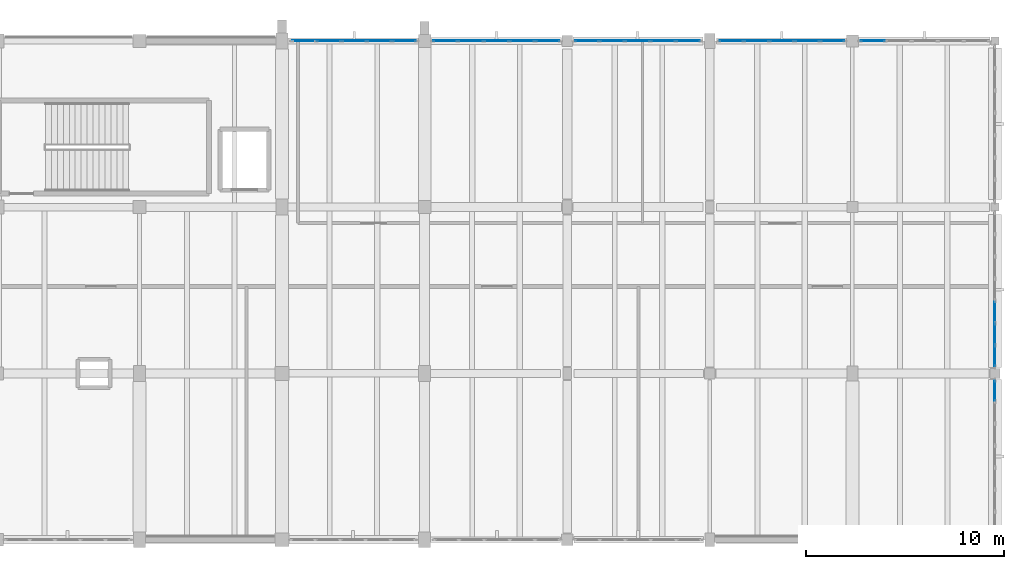
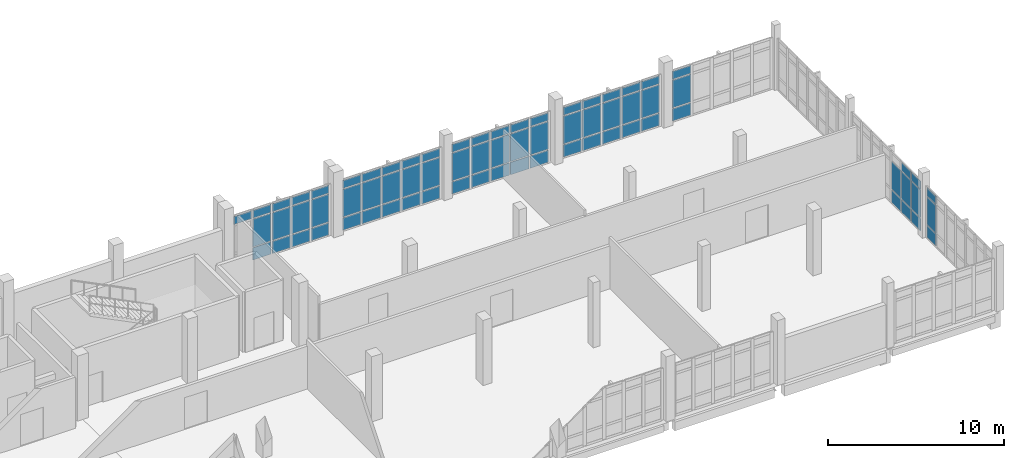
# One storey, part 45 of 57: 72 plates, 7 elements without a shape of their own.
"""IFC4 building model written with IfcOpenShell, lengths in metres."""

from ifc_helpers import new_model, si_unit, direction, frame, origin, origin_2d, place, context, subcontext, project, spatial, rectangle, extrude, material, layer, layer_set, type_object, element, aggregate, save


model = new_model("IFC4")

# Units and contexts
model_context = context("Model", 3, precision=1e-05, world=origin(), true_north=direction((0.0, 1.0)))
body_context = subcontext(model_context, "Body", "Model", "MODEL_VIEW")
ifc_project = project(units=[si_unit("LENGTHUNIT", "METRE"), si_unit("AREAUNIT", "SQUARE_METRE"), si_unit("VOLUMEUNIT", "CUBIC_METRE"), si_unit("PLANEANGLEUNIT", "RADIAN"), si_unit("MASSUNIT", "GRAM", prefix="KILO")], contexts=[model_context])

# Site, building, storey
site_placement = place(None, origin())
site = spatial("IfcSite", under=ifc_project, at=site_placement, CompositionType="ELEMENT")
building_placement = place(site_placement, origin())
building = spatial("IfcBuilding", under=site, at=building_placement, Name="Kalluvel Institute of Natural Sciences", CompositionType="ELEMENT")
storey_placement = place(building_placement, frame((0.0, 0.0, 23.39990234375)))
storey = spatial("IfcBuildingStorey", under=building, at=storey_placement, Name="L05", CompositionType="ELEMENT", Elevation=23.39990234375)

# Curtain wall, plates
ifc_material_1 = material(Name="Aluminium AW-6063 T6", Category="aluminium")
curtain_wall_type = type_object("IfcCurtainWallType", Name="CW-WET-45", PredefinedType="USERDEFINED", material=ifc_material_1)
curtain_wall_1_placement = place(storey_placement, origin())
curtain_wall_1 = element("IfcCurtainWall", 1, at=curtain_wall_1_placement, inside=storey, type_object=curtain_wall_type, Name="L05 Gothic lancet curtain wall CWA-L05-X792-Y1280", ObjectType="UNITISED LANCET FACADE", PredefinedType="USERDEFINED")
ifc_material_2 = material(Name="Solar-Control Low-E Laminated Glass", Category="glass")
ifc_layer = layer(ifc_material_2, 0.0400390625)
ifc_layer_set = layer_set([ifc_layer], Name="Solar-Control Low-E Laminated Glass")
plate_type = type_object("IfcPlateType", Name="CWP-SPN-40", PredefinedType="CURTAIN_PANEL", material=ifc_layer_set)
plate_1_placement = place(storey_placement, frame((79.905029296875, 128.0, 2.965087890625), z_axis=(0.0, 0.0, 1.0), x_axis=(1.0, 0.0, 0.0)))
plate_1 = element("IfcPlate", 2, at=plate_1_placement, type_object=plate_type, Name="CW-01 panel 1.3", PredefinedType="CURTAIN_PANEL", context=body_context, shape_type="SweptSolid", body=[
    extrude(rectangle(XDim=1.169921875, YDim=0.0400390625, at=origin_2d()), origin(), (0.0, 0.0, 1.0), 0.544921875),
])
plate_2_placement = place(storey_placement, frame((81.16259765625, 128.0, 0.0703125), z_axis=(0.0, 0.0, 1.0), x_axis=(1.0, 0.0, 0.0)))
plate_2 = element("IfcPlate", 3, at=plate_2_placement, type_object=plate_type, Name="CW-01 panel 2.1", PredefinedType="CURTAIN_PANEL", context=body_context, shape_type="SweptSolid", body=[
    extrude(rectangle(XDim=1.205078125, YDim=0.0400390625, at=origin_2d()), origin(), (0.0, 0.0, 1.0), 0.844970703125),
])
plate_3_placement = place(storey_placement, frame((81.16259765625, 128.0, 0.9853515625), z_axis=(0.0, 0.0, 1.0), x_axis=(1.0, 0.0, 0.0)))
plate_3 = element("IfcPlate", 4, at=plate_3_placement, type_object=plate_type, Name="CW-01 panel 2.2", PredefinedType="CURTAIN_PANEL", context=body_context, shape_type="SweptSolid", body=[
    extrude(rectangle(XDim=1.205078125, YDim=0.0400390625, at=origin_2d()), origin(), (0.0, 0.0, 1.0), 1.909912109375),
])
plate_4_placement = place(storey_placement, frame((81.16259765625, 128.0, 2.965087890625), z_axis=(0.0, 0.0, 1.0), x_axis=(1.0, 0.0, 0.0)))
plate_4 = element("IfcPlate", 5, at=plate_4_placement, type_object=plate_type, Name="CW-01 panel 2.3", PredefinedType="CURTAIN_PANEL", context=body_context, shape_type="SweptSolid", body=[
    extrude(rectangle(XDim=1.205078125, YDim=0.0400390625, at=origin_2d()), origin(), (0.0, 0.0, 1.0), 0.544921875),
])
plate_5_placement = place(storey_placement, frame((82.4375, 128.0, 0.0703125), z_axis=(0.0, 0.0, 1.0), x_axis=(1.0, 0.0, 0.0)))
plate_5 = element("IfcPlate", 6, at=plate_5_placement, type_object=plate_type, Name="CW-01 panel 3.1", PredefinedType="CURTAIN_PANEL", context=body_context, shape_type="SweptSolid", body=[
    extrude(rectangle(XDim=1.205078125, YDim=0.0400390625, at=origin_2d()), origin(), (0.0, 0.0, 1.0), 0.844970703125),
])
plate_6_placement = place(storey_placement, frame((82.4375, 128.0, 0.9853515625), z_axis=(0.0, 0.0, 1.0), x_axis=(1.0, 0.0, 0.0)))
plate_6 = element("IfcPlate", 7, at=plate_6_placement, type_object=plate_type, Name="CW-01 panel 3.2", PredefinedType="CURTAIN_PANEL", context=body_context, shape_type="SweptSolid", body=[
    extrude(rectangle(XDim=1.205078125, YDim=0.0400390625, at=origin_2d()), origin(), (0.0, 0.0, 1.0), 1.909912109375),
])
plate_7_placement = place(storey_placement, frame((82.4375, 128.0, 2.965087890625), z_axis=(0.0, 0.0, 1.0), x_axis=(1.0, 0.0, 0.0)))
plate_7 = element("IfcPlate", 8, at=plate_7_placement, type_object=plate_type, Name="CW-01 panel 3.3", PredefinedType="CURTAIN_PANEL", context=body_context, shape_type="SweptSolid", body=[
    extrude(rectangle(XDim=1.205078125, YDim=0.0400390625, at=origin_2d()), origin(), (0.0, 0.0, 1.0), 0.544921875),
])
plate_8_placement = place(storey_placement, frame((83.71240234375, 128.0, 0.0703125), z_axis=(0.0, 0.0, 1.0), x_axis=(1.0, 0.0, 0.0)))
plate_8 = element("IfcPlate", 9, at=plate_8_placement, type_object=plate_type, Name="CW-01 panel 4.1", PredefinedType="CURTAIN_PANEL", context=body_context, shape_type="SweptSolid", body=[
    extrude(rectangle(XDim=1.205078125, YDim=0.0400390625, at=origin_2d()), origin(), (0.0, 0.0, 1.0), 0.844970703125),
])
plate_9_placement = place(storey_placement, frame((83.71240234375, 128.0, 0.9853515625), z_axis=(0.0, 0.0, 1.0), x_axis=(1.0, 0.0, 0.0)))
plate_9 = element("IfcPlate", 10, at=plate_9_placement, type_object=plate_type, Name="CW-01 panel 4.2", PredefinedType="CURTAIN_PANEL", context=body_context, shape_type="SweptSolid", body=[
    extrude(rectangle(XDim=1.205078125, YDim=0.0400390625, at=origin_2d()), origin(), (0.0, 0.0, 1.0), 1.909912109375),
])
plate_10_placement = place(storey_placement, frame((83.71240234375, 128.0, 2.965087890625), z_axis=(0.0, 0.0, 1.0), x_axis=(1.0, 0.0, 0.0)))
plate_10 = element("IfcPlate", 11, at=plate_10_placement, type_object=plate_type, Name="CW-01 panel 4.3", PredefinedType="CURTAIN_PANEL", context=body_context, shape_type="SweptSolid", body=[
    extrude(rectangle(XDim=1.205078125, YDim=0.0400390625, at=origin_2d()), origin(), (0.0, 0.0, 1.0), 0.544921875),
])
plate_11_placement = place(storey_placement, frame((84.969970703125, 128.0, 0.0703125), z_axis=(0.0, 0.0, 1.0), x_axis=(1.0, 0.0, 0.0)))
plate_11 = element("IfcPlate", 12, at=plate_11_placement, type_object=plate_type, Name="CW-01 panel 5.1", PredefinedType="CURTAIN_PANEL", context=body_context, shape_type="SweptSolid", body=[
    extrude(rectangle(XDim=1.169921875, YDim=0.0400390625, at=origin_2d()), origin(), (0.0, 0.0, 1.0), 0.844970703125),
])
plate_12_placement = place(storey_placement, frame((84.969970703125, 128.0, 0.9853515625), z_axis=(0.0, 0.0, 1.0), x_axis=(1.0, 0.0, 0.0)))
plate_12 = element("IfcPlate", 13, at=plate_12_placement, type_object=plate_type, Name="CW-01 panel 5.2", PredefinedType="CURTAIN_PANEL", context=body_context, shape_type="SweptSolid", body=[
    extrude(rectangle(XDim=1.169921875, YDim=0.0400390625, at=origin_2d()), origin(), (0.0, 0.0, 1.0), 1.909912109375),
])
plate_13_placement = place(storey_placement, frame((84.969970703125, 128.0, 2.965087890625), z_axis=(0.0, 0.0, 1.0), x_axis=(1.0, 0.0, 0.0)))
plate_13 = element("IfcPlate", 14, at=plate_13_placement, type_object=plate_type, Name="CW-01 panel 5.3", PredefinedType="CURTAIN_PANEL", context=body_context, shape_type="SweptSolid", body=[
    extrude(rectangle(XDim=1.169921875, YDim=0.0400390625, at=origin_2d()), origin(), (0.0, 0.0, 1.0), 0.544921875),
])
aggregate(curtain_wall_1, [plate_1, plate_2, plate_3, plate_4, plate_5, plate_6, plate_7, plate_8, plate_9, plate_10, plate_11, plate_12, plate_13])

curtain_wall_2_placement = place(storey_placement, origin())
curtain_wall_2 = element("IfcCurtainWall", 15, at=curtain_wall_2_placement, inside=storey, type_object=curtain_wall_type, Name="L05 Gothic lancet curtain wall CWA-L05-X864-Y1280", ObjectType="UNITISED LANCET FACADE", PredefinedType="USERDEFINED")
plate_14_placement = place(storey_placement, frame((87.04248046875, 128.0, 0.0703125), z_axis=(0.0, 0.0, 1.0), x_axis=(1.0, 0.0, 0.0)))
plate_14 = element("IfcPlate", 16, at=plate_14_placement, type_object=plate_type, Name="CW-01 panel 1.1", PredefinedType="CURTAIN_PANEL", context=body_context, shape_type="SweptSolid", body=[
    extrude(rectangle(XDim=1.195068359375, YDim=0.0400390625, at=origin_2d()), origin(), (0.0, 0.0, 1.0), 0.844970703125),
])
plate_15_placement = place(storey_placement, frame((87.04248046875, 128.0, 0.9853515625), z_axis=(0.0, 0.0, 1.0), x_axis=(1.0, 0.0, 0.0)))
plate_15 = element("IfcPlate", 17, at=plate_15_placement, type_object=plate_type, Name="CW-01 panel 1.2", PredefinedType="CURTAIN_PANEL", context=body_context, shape_type="SweptSolid", body=[
    extrude(rectangle(XDim=1.195068359375, YDim=0.0400390625, at=origin_2d()), origin(), (0.0, 0.0, 1.0), 1.909912109375),
])
plate_16_placement = place(storey_placement, frame((87.04248046875, 128.0, 2.965087890625), z_axis=(0.0, 0.0, 1.0), x_axis=(1.0, 0.0, 0.0)))
plate_16 = element("IfcPlate", 18, at=plate_16_placement, type_object=plate_type, Name="CW-01 panel 1.3", PredefinedType="CURTAIN_PANEL", context=body_context, shape_type="SweptSolid", body=[
    extrude(rectangle(XDim=1.195068359375, YDim=0.0400390625, at=origin_2d()), origin(), (0.0, 0.0, 1.0), 0.544921875),
])
plate_17_placement = place(storey_placement, frame((88.324951171875, 128.0, 0.0703125), z_axis=(0.0, 0.0, 1.0), x_axis=(1.0, 0.0, 0.0)))
plate_17 = element("IfcPlate", 19, at=plate_17_placement, type_object=plate_type, Name="CW-01 panel 2.1", PredefinedType="CURTAIN_PANEL", context=body_context, shape_type="SweptSolid", body=[
    extrude(rectangle(XDim=1.22998046875, YDim=0.0400390625, at=origin_2d()), origin(), (0.0, 0.0, 1.0), 0.844970703125),
])
plate_18_placement = place(storey_placement, frame((88.324951171875, 128.0, 0.9853515625), z_axis=(0.0, 0.0, 1.0), x_axis=(1.0, 0.0, 0.0)))
plate_18 = element("IfcPlate", 20, at=plate_18_placement, type_object=plate_type, Name="CW-01 panel 2.2", PredefinedType="CURTAIN_PANEL", context=body_context, shape_type="SweptSolid", body=[
    extrude(rectangle(XDim=1.22998046875, YDim=0.0400390625, at=origin_2d()), origin(), (0.0, 0.0, 1.0), 1.909912109375),
])
plate_19_placement = place(storey_placement, frame((88.324951171875, 128.0, 2.965087890625), z_axis=(0.0, 0.0, 1.0), x_axis=(1.0, 0.0, 0.0)))
plate_19 = element("IfcPlate", 21, at=plate_19_placement, type_object=plate_type, Name="CW-01 panel 2.3", PredefinedType="CURTAIN_PANEL", context=body_context, shape_type="SweptSolid", body=[
    extrude(rectangle(XDim=1.22998046875, YDim=0.0400390625, at=origin_2d()), origin(), (0.0, 0.0, 1.0), 0.544921875),
])
plate_20_placement = place(storey_placement, frame((89.625, 128.0, 0.0703125), z_axis=(0.0, 0.0, 1.0), x_axis=(1.0, 0.0, 0.0)))
plate_20 = element("IfcPlate", 22, at=plate_20_placement, type_object=plate_type, Name="CW-01 panel 3.1", PredefinedType="CURTAIN_PANEL", context=body_context, shape_type="SweptSolid", body=[
    extrude(rectangle(XDim=1.22998046875, YDim=0.0400390625, at=origin_2d()), origin(), (0.0, 0.0, 1.0), 0.844970703125),
])
plate_21_placement = place(storey_placement, frame((89.625, 128.0, 0.9853515625), z_axis=(0.0, 0.0, 1.0), x_axis=(1.0, 0.0, 0.0)))
plate_21 = element("IfcPlate", 23, at=plate_21_placement, type_object=plate_type, Name="CW-01 panel 3.2", PredefinedType="CURTAIN_PANEL", context=body_context, shape_type="SweptSolid", body=[
    extrude(rectangle(XDim=1.22998046875, YDim=0.0400390625, at=origin_2d()), origin(), (0.0, 0.0, 1.0), 1.909912109375),
])
plate_22_placement = place(storey_placement, frame((89.625, 128.0, 2.965087890625), z_axis=(0.0, 0.0, 1.0), x_axis=(1.0, 0.0, 0.0)))
plate_22 = element("IfcPlate", 24, at=plate_22_placement, type_object=plate_type, Name="CW-01 panel 3.3", PredefinedType="CURTAIN_PANEL", context=body_context, shape_type="SweptSolid", body=[
    extrude(rectangle(XDim=1.22998046875, YDim=0.0400390625, at=origin_2d()), origin(), (0.0, 0.0, 1.0), 0.544921875),
])
plate_23_placement = place(storey_placement, frame((90.925048828125, 128.0, 0.0703125), z_axis=(0.0, 0.0, 1.0), x_axis=(1.0, 0.0, 0.0)))
plate_23 = element("IfcPlate", 25, at=plate_23_placement, type_object=plate_type, Name="CW-01 panel 4.1", PredefinedType="CURTAIN_PANEL", context=body_context, shape_type="SweptSolid", body=[
    extrude(rectangle(XDim=1.22998046875, YDim=0.0400390625, at=origin_2d()), origin(), (0.0, 0.0, 1.0), 0.844970703125),
])
plate_24_placement = place(storey_placement, frame((90.925048828125, 128.0, 0.9853515625), z_axis=(0.0, 0.0, 1.0), x_axis=(1.0, 0.0, 0.0)))
plate_24 = element("IfcPlate", 26, at=plate_24_placement, type_object=plate_type, Name="CW-01 panel 4.2", PredefinedType="CURTAIN_PANEL", context=body_context, shape_type="SweptSolid", body=[
    extrude(rectangle(XDim=1.22998046875, YDim=0.0400390625, at=origin_2d()), origin(), (0.0, 0.0, 1.0), 1.909912109375),
])
plate_25_placement = place(storey_placement, frame((90.925048828125, 128.0, 2.965087890625), z_axis=(0.0, 0.0, 1.0), x_axis=(1.0, 0.0, 0.0)))
plate_25 = element("IfcPlate", 27, at=plate_25_placement, type_object=plate_type, Name="CW-01 panel 4.3", PredefinedType="CURTAIN_PANEL", context=body_context, shape_type="SweptSolid", body=[
    extrude(rectangle(XDim=1.22998046875, YDim=0.0400390625, at=origin_2d()), origin(), (0.0, 0.0, 1.0), 0.544921875),
])
plate_26_placement = place(storey_placement, frame((92.20751953125, 128.0, 0.0703125), z_axis=(0.0, 0.0, 1.0), x_axis=(1.0, 0.0, 0.0)))
plate_26 = element("IfcPlate", 28, at=plate_26_placement, type_object=plate_type, Name="CW-01 panel 5.1", PredefinedType="CURTAIN_PANEL", context=body_context, shape_type="SweptSolid", body=[
    extrude(rectangle(XDim=1.195068359375, YDim=0.0400390625, at=origin_2d()), origin(), (0.0, 0.0, 1.0), 0.844970703125),
])
plate_27_placement = place(storey_placement, frame((92.20751953125, 128.0, 0.9853515625), z_axis=(0.0, 0.0, 1.0), x_axis=(1.0, 0.0, 0.0)))
plate_27 = element("IfcPlate", 29, at=plate_27_placement, type_object=plate_type, Name="CW-01 panel 5.2", PredefinedType="CURTAIN_PANEL", context=body_context, shape_type="SweptSolid", body=[
    extrude(rectangle(XDim=1.195068359375, YDim=0.0400390625, at=origin_2d()), origin(), (0.0, 0.0, 1.0), 1.909912109375),
])
plate_28_placement = place(storey_placement, frame((92.20751953125, 128.0, 2.965087890625), z_axis=(0.0, 0.0, 1.0), x_axis=(1.0, 0.0, 0.0)))
plate_28 = element("IfcPlate", 30, at=plate_28_placement, type_object=plate_type, Name="CW-01 panel 5.3", PredefinedType="CURTAIN_PANEL", context=body_context, shape_type="SweptSolid", body=[
    extrude(rectangle(XDim=1.195068359375, YDim=0.0400390625, at=origin_2d()), origin(), (0.0, 0.0, 1.0), 0.544921875),
])
aggregate(curtain_wall_2, [plate_14, plate_15, plate_16, plate_17, plate_18, plate_19, plate_20, plate_21, plate_22, plate_23, plate_24, plate_25, plate_26, plate_27, plate_28])

curtain_wall_3_placement = place(storey_placement, origin())
curtain_wall_3 = element("IfcCurtainWall", 31, at=curtain_wall_3_placement, inside=storey, type_object=curtain_wall_type, Name="L05 Gothic lancet curtain wall CWA-L05-X935-Y1280", ObjectType="UNITISED LANCET FACADE", PredefinedType="USERDEFINED")
plate_29_placement = place(storey_placement, frame((94.1875, 128.0, 0.0703125), z_axis=(0.0, 0.0, 1.0), x_axis=(1.0, 0.0, 0.0)))
plate_29 = element("IfcPlate", 32, at=plate_29_placement, type_object=plate_type, Name="CW-01 panel 1.1", PredefinedType="CURTAIN_PANEL", context=body_context, shape_type="SweptSolid", body=[
    extrude(rectangle(XDim=1.18505859375, YDim=0.0400390625, at=origin_2d()), origin(), (0.0, 0.0, 1.0), 0.844970703125),
])
plate_30_placement = place(storey_placement, frame((94.1875, 128.0, 0.9853515625), z_axis=(0.0, 0.0, 1.0), x_axis=(1.0, 0.0, 0.0)))
plate_30 = element("IfcPlate", 33, at=plate_30_placement, type_object=plate_type, Name="CW-01 panel 1.2", PredefinedType="CURTAIN_PANEL", context=body_context, shape_type="SweptSolid", body=[
    extrude(rectangle(XDim=1.18505859375, YDim=0.0400390625, at=origin_2d()), origin(), (0.0, 0.0, 1.0), 1.909912109375),
])
plate_31_placement = place(storey_placement, frame((94.1875, 128.0, 2.965087890625), z_axis=(0.0, 0.0, 1.0), x_axis=(1.0, 0.0, 0.0)))
plate_31 = element("IfcPlate", 34, at=plate_31_placement, type_object=plate_type, Name="CW-01 panel 1.3", PredefinedType="CURTAIN_PANEL", context=body_context, shape_type="SweptSolid", body=[
    extrude(rectangle(XDim=1.18505859375, YDim=0.0400390625, at=origin_2d()), origin(), (0.0, 0.0, 1.0), 0.544921875),
])
plate_32_placement = place(storey_placement, frame((95.4599609375, 128.0, 0.0703125), z_axis=(0.0, 0.0, 1.0), x_axis=(1.0, 0.0, 0.0)))
plate_32 = element("IfcPlate", 35, at=plate_32_placement, type_object=plate_type, Name="CW-01 panel 2.1", PredefinedType="CURTAIN_PANEL", context=body_context, shape_type="SweptSolid", body=[
    extrude(rectangle(XDim=1.219970703125, YDim=0.0400390625, at=origin_2d()), origin(), (0.0, 0.0, 1.0), 0.844970703125),
])
plate_33_placement = place(storey_placement, frame((95.4599609375, 128.0, 0.9853515625), z_axis=(0.0, 0.0, 1.0), x_axis=(1.0, 0.0, 0.0)))
plate_33 = element("IfcPlate", 36, at=plate_33_placement, type_object=plate_type, Name="CW-01 panel 2.2", PredefinedType="CURTAIN_PANEL", context=body_context, shape_type="SweptSolid", body=[
    extrude(rectangle(XDim=1.219970703125, YDim=0.0400390625, at=origin_2d()), origin(), (0.0, 0.0, 1.0), 1.909912109375),
])
plate_34_placement = place(storey_placement, frame((95.4599609375, 128.0, 2.965087890625), z_axis=(0.0, 0.0, 1.0), x_axis=(1.0, 0.0, 0.0)))
plate_34 = element("IfcPlate", 37, at=plate_34_placement, type_object=plate_type, Name="CW-01 panel 2.3", PredefinedType="CURTAIN_PANEL", context=body_context, shape_type="SweptSolid", body=[
    extrude(rectangle(XDim=1.219970703125, YDim=0.0400390625, at=origin_2d()), origin(), (0.0, 0.0, 1.0), 0.544921875),
])
plate_35_placement = place(storey_placement, frame((96.75, 128.0, 0.0703125), z_axis=(0.0, 0.0, 1.0), x_axis=(1.0, 0.0, 0.0)))
plate_35 = element("IfcPlate", 38, at=plate_35_placement, type_object=plate_type, Name="CW-01 panel 3.1", PredefinedType="CURTAIN_PANEL", context=body_context, shape_type="SweptSolid", body=[
    extrude(rectangle(XDim=1.219970703125, YDim=0.0400390625, at=origin_2d()), origin(), (0.0, 0.0, 1.0), 0.844970703125),
])
plate_36_placement = place(storey_placement, frame((96.75, 128.0, 0.9853515625), z_axis=(0.0, 0.0, 1.0), x_axis=(1.0, 0.0, 0.0)))
plate_36 = element("IfcPlate", 39, at=plate_36_placement, type_object=plate_type, Name="CW-01 panel 3.2", PredefinedType="CURTAIN_PANEL", context=body_context, shape_type="SweptSolid", body=[
    extrude(rectangle(XDim=1.219970703125, YDim=0.0400390625, at=origin_2d()), origin(), (0.0, 0.0, 1.0), 1.909912109375),
])
plate_37_placement = place(storey_placement, frame((96.75, 128.0, 2.965087890625), z_axis=(0.0, 0.0, 1.0), x_axis=(1.0, 0.0, 0.0)))
plate_37 = element("IfcPlate", 40, at=plate_37_placement, type_object=plate_type, Name="CW-01 panel 3.3", PredefinedType="CURTAIN_PANEL", context=body_context, shape_type="SweptSolid", body=[
    extrude(rectangle(XDim=1.219970703125, YDim=0.0400390625, at=origin_2d()), origin(), (0.0, 0.0, 1.0), 0.544921875),
])
plate_38_placement = place(storey_placement, frame((98.0400390625, 128.0, 0.0703125), z_axis=(0.0, 0.0, 1.0), x_axis=(1.0, 0.0, 0.0)))
plate_38 = element("IfcPlate", 41, at=plate_38_placement, type_object=plate_type, Name="CW-01 panel 4.1", PredefinedType="CURTAIN_PANEL", context=body_context, shape_type="SweptSolid", body=[
    extrude(rectangle(XDim=1.219970703125, YDim=0.0400390625, at=origin_2d()), origin(), (0.0, 0.0, 1.0), 0.844970703125),
])
plate_39_placement = place(storey_placement, frame((98.0400390625, 128.0, 0.9853515625), z_axis=(0.0, 0.0, 1.0), x_axis=(1.0, 0.0, 0.0)))
plate_39 = element("IfcPlate", 42, at=plate_39_placement, type_object=plate_type, Name="CW-01 panel 4.2", PredefinedType="CURTAIN_PANEL", context=body_context, shape_type="SweptSolid", body=[
    extrude(rectangle(XDim=1.219970703125, YDim=0.0400390625, at=origin_2d()), origin(), (0.0, 0.0, 1.0), 1.909912109375),
])
plate_40_placement = place(storey_placement, frame((98.0400390625, 128.0, 2.965087890625), z_axis=(0.0, 0.0, 1.0), x_axis=(1.0, 0.0, 0.0)))
plate_40 = element("IfcPlate", 43, at=plate_40_placement, type_object=plate_type, Name="CW-01 panel 4.3", PredefinedType="CURTAIN_PANEL", context=body_context, shape_type="SweptSolid", body=[
    extrude(rectangle(XDim=1.219970703125, YDim=0.0400390625, at=origin_2d()), origin(), (0.0, 0.0, 1.0), 0.544921875),
])
plate_41_placement = place(storey_placement, frame((99.3125, 128.0, 0.0703125), z_axis=(0.0, 0.0, 1.0), x_axis=(1.0, 0.0, 0.0)))
plate_41 = element("IfcPlate", 44, at=plate_41_placement, type_object=plate_type, Name="CW-01 panel 5.1", PredefinedType="CURTAIN_PANEL", context=body_context, shape_type="SweptSolid", body=[
    extrude(rectangle(XDim=1.18505859375, YDim=0.0400390625, at=origin_2d()), origin(), (0.0, 0.0, 1.0), 0.844970703125),
])
plate_42_placement = place(storey_placement, frame((99.3125, 128.0, 0.9853515625), z_axis=(0.0, 0.0, 1.0), x_axis=(1.0, 0.0, 0.0)))
plate_42 = element("IfcPlate", 45, at=plate_42_placement, type_object=plate_type, Name="CW-01 panel 5.2", PredefinedType="CURTAIN_PANEL", context=body_context, shape_type="SweptSolid", body=[
    extrude(rectangle(XDim=1.18505859375, YDim=0.0400390625, at=origin_2d()), origin(), (0.0, 0.0, 1.0), 1.909912109375),
])
plate_43_placement = place(storey_placement, frame((99.3125, 128.0, 2.965087890625), z_axis=(0.0, 0.0, 1.0), x_axis=(1.0, 0.0, 0.0)))
plate_43 = element("IfcPlate", 46, at=plate_43_placement, type_object=plate_type, Name="CW-01 panel 5.3", PredefinedType="CURTAIN_PANEL", context=body_context, shape_type="SweptSolid", body=[
    extrude(rectangle(XDim=1.18505859375, YDim=0.0400390625, at=origin_2d()), origin(), (0.0, 0.0, 1.0), 0.544921875),
])
aggregate(curtain_wall_3, [plate_29, plate_30, plate_31, plate_32, plate_33, plate_34, plate_35, plate_36, plate_37, plate_38, plate_39, plate_40, plate_41, plate_42, plate_43])

curtain_wall_4_placement = place(storey_placement, origin())
curtain_wall_4 = element("IfcCurtainWall", 47, at=curtain_wall_4_placement, inside=storey, type_object=curtain_wall_type, Name="L05 Gothic lancet curtain wall CWA-L05-X1008-Y1280", ObjectType="UNITISED LANCET FACADE", PredefinedType="USERDEFINED")
plate_44_placement = place(storey_placement, frame((101.485107421875, 128.0, 0.0703125), z_axis=(0.0, 0.0, 1.0), x_axis=(1.0, 0.0, 0.0)))
plate_44 = element("IfcPlate", 48, at=plate_44_placement, type_object=plate_type, Name="CW-01 panel 1.1", PredefinedType="CURTAIN_PANEL", context=body_context, shape_type="SweptSolid", body=[
    extrude(rectangle(XDim=1.179931640625, YDim=0.0400390625, at=origin_2d()), origin(), (0.0, 0.0, 1.0), 0.844970703125),
])
plate_45_placement = place(storey_placement, frame((101.485107421875, 128.0, 0.9853515625), z_axis=(0.0, 0.0, 1.0), x_axis=(1.0, 0.0, 0.0)))
plate_45 = element("IfcPlate", 49, at=plate_45_placement, type_object=plate_type, Name="CW-01 panel 1.2", PredefinedType="CURTAIN_PANEL", context=body_context, shape_type="SweptSolid", body=[
    extrude(rectangle(XDim=1.179931640625, YDim=0.0400390625, at=origin_2d()), origin(), (0.0, 0.0, 1.0), 1.909912109375),
])
plate_46_placement = place(storey_placement, frame((101.485107421875, 128.0, 2.965087890625), z_axis=(0.0, 0.0, 1.0), x_axis=(1.0, 0.0, 0.0)))
plate_46 = element("IfcPlate", 50, at=plate_46_placement, type_object=plate_type, Name="CW-01 panel 1.3", PredefinedType="CURTAIN_PANEL", context=body_context, shape_type="SweptSolid", body=[
    extrude(rectangle(XDim=1.179931640625, YDim=0.0400390625, at=origin_2d()), origin(), (0.0, 0.0, 1.0), 0.544921875),
])
plate_47_placement = place(storey_placement, frame((102.75244140625, 128.0, 0.0703125), z_axis=(0.0, 0.0, 1.0), x_axis=(1.0, 0.0, 0.0)))
plate_47 = element("IfcPlate", 51, at=plate_47_placement, type_object=plate_type, Name="CW-01 panel 2.1", PredefinedType="CURTAIN_PANEL", context=body_context, shape_type="SweptSolid", body=[
    extrude(rectangle(XDim=1.215087890625, YDim=0.0400390625, at=origin_2d()), origin(), (0.0, 0.0, 1.0), 0.844970703125),
])
plate_48_placement = place(storey_placement, frame((102.75244140625, 128.0, 0.9853515625), z_axis=(0.0, 0.0, 1.0), x_axis=(1.0, 0.0, 0.0)))
plate_48 = element("IfcPlate", 52, at=plate_48_placement, type_object=plate_type, Name="CW-01 panel 2.2", PredefinedType="CURTAIN_PANEL", context=body_context, shape_type="SweptSolid", body=[
    extrude(rectangle(XDim=1.215087890625, YDim=0.0400390625, at=origin_2d()), origin(), (0.0, 0.0, 1.0), 1.909912109375),
])
plate_49_placement = place(storey_placement, frame((102.75244140625, 128.0, 2.965087890625), z_axis=(0.0, 0.0, 1.0), x_axis=(1.0, 0.0, 0.0)))
plate_49 = element("IfcPlate", 53, at=plate_49_placement, type_object=plate_type, Name="CW-01 panel 2.3", PredefinedType="CURTAIN_PANEL", context=body_context, shape_type="SweptSolid", body=[
    extrude(rectangle(XDim=1.215087890625, YDim=0.0400390625, at=origin_2d()), origin(), (0.0, 0.0, 1.0), 0.544921875),
])
plate_50_placement = place(storey_placement, frame((104.03759765625, 128.0, 0.0703125), z_axis=(0.0, 0.0, 1.0), x_axis=(1.0, 0.0, 0.0)))
plate_50 = element("IfcPlate", 54, at=plate_50_placement, type_object=plate_type, Name="CW-01 panel 3.1", PredefinedType="CURTAIN_PANEL", context=body_context, shape_type="SweptSolid", body=[
    extrude(rectangle(XDim=1.215087890625, YDim=0.0400390625, at=origin_2d()), origin(), (0.0, 0.0, 1.0), 0.844970703125),
])
plate_51_placement = place(storey_placement, frame((104.03759765625, 128.0, 0.9853515625), z_axis=(0.0, 0.0, 1.0), x_axis=(1.0, 0.0, 0.0)))
plate_51 = element("IfcPlate", 55, at=plate_51_placement, type_object=plate_type, Name="CW-01 panel 3.2", PredefinedType="CURTAIN_PANEL", context=body_context, shape_type="SweptSolid", body=[
    extrude(rectangle(XDim=1.215087890625, YDim=0.0400390625, at=origin_2d()), origin(), (0.0, 0.0, 1.0), 1.909912109375),
])
plate_52_placement = place(storey_placement, frame((104.03759765625, 128.0, 2.965087890625), z_axis=(0.0, 0.0, 1.0), x_axis=(1.0, 0.0, 0.0)))
plate_52 = element("IfcPlate", 56, at=plate_52_placement, type_object=plate_type, Name="CW-01 panel 3.3", PredefinedType="CURTAIN_PANEL", context=body_context, shape_type="SweptSolid", body=[
    extrude(rectangle(XDim=1.215087890625, YDim=0.0400390625, at=origin_2d()), origin(), (0.0, 0.0, 1.0), 0.544921875),
])
plate_53_placement = place(storey_placement, frame((105.322509765625, 128.0, 0.0703125), z_axis=(0.0, 0.0, 1.0), x_axis=(1.0, 0.0, 0.0)))
plate_53 = element("IfcPlate", 57, at=plate_53_placement, type_object=plate_type, Name="CW-01 panel 4.1", PredefinedType="CURTAIN_PANEL", context=body_context, shape_type="SweptSolid", body=[
    extrude(rectangle(XDim=1.215087890625, YDim=0.0400390625, at=origin_2d()), origin(), (0.0, 0.0, 1.0), 0.844970703125),
])
plate_54_placement = place(storey_placement, frame((105.322509765625, 128.0, 0.9853515625), z_axis=(0.0, 0.0, 1.0), x_axis=(1.0, 0.0, 0.0)))
plate_54 = element("IfcPlate", 58, at=plate_54_placement, type_object=plate_type, Name="CW-01 panel 4.2", PredefinedType="CURTAIN_PANEL", context=body_context, shape_type="SweptSolid", body=[
    extrude(rectangle(XDim=1.215087890625, YDim=0.0400390625, at=origin_2d()), origin(), (0.0, 0.0, 1.0), 1.909912109375),
])
plate_55_placement = place(storey_placement, frame((105.322509765625, 128.0, 2.965087890625), z_axis=(0.0, 0.0, 1.0), x_axis=(1.0, 0.0, 0.0)))
plate_55 = element("IfcPlate", 59, at=plate_55_placement, type_object=plate_type, Name="CW-01 panel 4.3", PredefinedType="CURTAIN_PANEL", context=body_context, shape_type="SweptSolid", body=[
    extrude(rectangle(XDim=1.215087890625, YDim=0.0400390625, at=origin_2d()), origin(), (0.0, 0.0, 1.0), 0.544921875),
])
plate_56_placement = place(storey_placement, frame((106.590087890625, 128.0, 0.0703125), z_axis=(0.0, 0.0, 1.0), x_axis=(1.0, 0.0, 0.0)))
plate_56 = element("IfcPlate", 60, at=plate_56_placement, type_object=plate_type, Name="CW-01 panel 5.1", PredefinedType="CURTAIN_PANEL", context=body_context, shape_type="SweptSolid", body=[
    extrude(rectangle(XDim=1.179931640625, YDim=0.0400390625, at=origin_2d()), origin(), (0.0, 0.0, 1.0), 0.844970703125),
])
plate_57_placement = place(storey_placement, frame((106.590087890625, 128.0, 0.9853515625), z_axis=(0.0, 0.0, 1.0), x_axis=(1.0, 0.0, 0.0)))
plate_57 = element("IfcPlate", 61, at=plate_57_placement, type_object=plate_type, Name="CW-01 panel 5.2", PredefinedType="CURTAIN_PANEL", context=body_context, shape_type="SweptSolid", body=[
    extrude(rectangle(XDim=1.179931640625, YDim=0.0400390625, at=origin_2d()), origin(), (0.0, 0.0, 1.0), 1.909912109375),
])
plate_58_placement = place(storey_placement, frame((106.590087890625, 128.0, 2.965087890625), z_axis=(0.0, 0.0, 1.0), x_axis=(1.0, 0.0, 0.0)))
plate_58 = element("IfcPlate", 62, at=plate_58_placement, type_object=plate_type, Name="CW-01 panel 5.3", PredefinedType="CURTAIN_PANEL", context=body_context, shape_type="SweptSolid", body=[
    extrude(rectangle(XDim=1.179931640625, YDim=0.0400390625, at=origin_2d()), origin(), (0.0, 0.0, 1.0), 0.544921875),
])
aggregate(curtain_wall_4, [plate_44, plate_45, plate_46, plate_47, plate_48, plate_49, plate_50, plate_51, plate_52, plate_53, plate_54, plate_55, plate_56, plate_57, plate_58])

curtain_wall_5_placement = place(storey_placement, origin())
curtain_wall_5 = element("IfcCurtainWall", 63, at=curtain_wall_5_placement, inside=storey, type_object=curtain_wall_type, Name="L05 Gothic lancet curtain wall CWA-L05-X1080-Y1280", ObjectType="UNITISED LANCET FACADE", PredefinedType="USERDEFINED")
plate_59_placement = place(storey_placement, frame((108.62744140625, 128.0, 0.0703125), z_axis=(0.0, 0.0, 1.0), x_axis=(1.0, 0.0, 0.0)))
plate_59 = element("IfcPlate", 64, at=plate_59_placement, type_object=plate_type, Name="CW-01 panel 1.1", PredefinedType="CURTAIN_PANEL", context=body_context, shape_type="SweptSolid", body=[
    extrude(rectangle(XDim=1.215087890625, YDim=0.0400390625, at=origin_2d()), origin(), (0.0, 0.0, 1.0), 0.844970703125),
])
plate_60_placement = place(storey_placement, frame((108.62744140625, 128.0, 0.9853515625), z_axis=(0.0, 0.0, 1.0), x_axis=(1.0, 0.0, 0.0)))
plate_60 = element("IfcPlate", 65, at=plate_60_placement, type_object=plate_type, Name="CW-01 panel 1.2", PredefinedType="CURTAIN_PANEL", context=body_context, shape_type="SweptSolid", body=[
    extrude(rectangle(XDim=1.215087890625, YDim=0.0400390625, at=origin_2d()), origin(), (0.0, 0.0, 1.0), 1.909912109375),
])
plate_61_placement = place(storey_placement, frame((108.62744140625, 128.0, 2.965087890625), z_axis=(0.0, 0.0, 1.0), x_axis=(1.0, 0.0, 0.0)))
plate_61 = element("IfcPlate", 66, at=plate_61_placement, type_object=plate_type, Name="CW-01 panel 1.3", PredefinedType="CURTAIN_PANEL", context=body_context, shape_type="SweptSolid", body=[
    extrude(rectangle(XDim=1.215087890625, YDim=0.0400390625, at=origin_2d()), origin(), (0.0, 0.0, 1.0), 0.544921875),
])
aggregate(curtain_wall_5, [plate_59, plate_60, plate_61])

curtain_wall_6_placement = place(storey_placement, origin())
curtain_wall_6 = element("IfcCurtainWall", 67, at=curtain_wall_6_placement, inside=storey, type_object=curtain_wall_type, Name="L05 Gothic lancet curtain wall CWA-L05-X1148-Y1031", ObjectType="UNITISED LANCET FACADE", PredefinedType="USERDEFINED")
plate_62_placement = place(storey_placement, frame((114.800048828125, 110.325439453125, 0.0703125), z_axis=(0.0, 0.0, 1.0), x_axis=(0.0, 1.0, 0.0)))
plate_62 = element("IfcPlate", 68, at=plate_62_placement, type_object=plate_type, Name="CW-01 panel 7.1", PredefinedType="CURTAIN_PANEL", context=body_context, shape_type="SweptSolid", body=[
    extrude(rectangle(XDim=1.00927734375, YDim=0.0400390625, at=origin_2d()), origin(), (0.0, 0.0, 1.0), 0.844970703125),
])
plate_63_placement = place(storey_placement, frame((114.800048828125, 110.325439453125, 0.9853515625), z_axis=(0.0, 0.0, 1.0), x_axis=(0.0, 1.0, 0.0)))
plate_63 = element("IfcPlate", 69, at=plate_63_placement, type_object=plate_type, Name="CW-01 panel 7.2", PredefinedType="CURTAIN_PANEL", context=body_context, shape_type="SweptSolid", body=[
    extrude(rectangle(XDim=1.00927734375, YDim=0.0400390625, at=origin_2d()), origin(), (0.0, 0.0, 1.0), 1.909912109375),
])
plate_64_placement = place(storey_placement, frame((114.800048828125, 110.325439453125, 2.965087890625), z_axis=(0.0, 0.0, 1.0), x_axis=(0.0, 1.0, 0.0)))
plate_64 = element("IfcPlate", 70, at=plate_64_placement, type_object=plate_type, Name="CW-01 panel 7.3", PredefinedType="CURTAIN_PANEL", context=body_context, shape_type="SweptSolid", body=[
    extrude(rectangle(XDim=1.00927734375, YDim=0.0400390625, at=origin_2d()), origin(), (0.0, 0.0, 1.0), 0.544921875),
])
aggregate(curtain_wall_6, [plate_62, plate_63, plate_64])

curtain_wall_7_placement = place(storey_placement, origin())
curtain_wall_7 = element("IfcCurtainWall", 71, at=curtain_wall_7_placement, inside=storey, type_object=curtain_wall_type, Name="L05 Gothic lancet curtain wall CWA-L05-X1148-Y1115", ObjectType="UNITISED LANCET FACADE", PredefinedType="USERDEFINED")
plate_65_placement = place(storey_placement, frame((114.800048828125, 112.078125, 0.0703125), z_axis=(0.0, 0.0, 1.0), x_axis=(0.0, 1.0, 0.0)))
plate_65 = element("IfcPlate", 72, at=plate_65_placement, type_object=plate_type, Name="CW-01 panel 1.1", PredefinedType="CURTAIN_PANEL", context=body_context, shape_type="SweptSolid", body=[
    extrude(rectangle(XDim=1.016357421875, YDim=0.0400390625, at=origin_2d()), origin(), (0.0, 0.0, 1.0), 0.844970703125),
])
plate_66_placement = place(storey_placement, frame((114.800048828125, 112.078125, 0.9853515625), z_axis=(0.0, 0.0, 1.0), x_axis=(0.0, 1.0, 0.0)))
plate_66 = element("IfcPlate", 73, at=plate_66_placement, type_object=plate_type, Name="CW-01 panel 1.2", PredefinedType="CURTAIN_PANEL", context=body_context, shape_type="SweptSolid", body=[
    extrude(rectangle(XDim=1.016357421875, YDim=0.0400390625, at=origin_2d()), origin(), (0.0, 0.0, 1.0), 1.909912109375),
])
plate_67_placement = place(storey_placement, frame((114.800048828125, 112.078125, 2.965087890625), z_axis=(0.0, 0.0, 1.0), x_axis=(0.0, 1.0, 0.0)))
plate_67 = element("IfcPlate", 74, at=plate_67_placement, type_object=plate_type, Name="CW-01 panel 1.3", PredefinedType="CURTAIN_PANEL", context=body_context, shape_type="SweptSolid", body=[
    extrude(rectangle(XDim=1.016357421875, YDim=0.0400390625, at=origin_2d()), origin(), (0.0, 0.0, 1.0), 0.544921875),
])
plate_68_placement = place(storey_placement, frame((114.800048828125, 113.18212890625, 0.0703125), z_axis=(0.0, 0.0, 1.0), x_axis=(0.0, 1.0, 0.0)))
plate_68 = element("IfcPlate", 75, at=plate_68_placement, type_object=plate_type, Name="CW-01 panel 2.1", PredefinedType="CURTAIN_PANEL", context=body_context, shape_type="SweptSolid", body=[
    extrude(rectangle(XDim=1.051513671875, YDim=0.0400390625, at=origin_2d()), origin(), (0.0, 0.0, 1.0), 0.844970703125),
])
plate_69_placement = place(storey_placement, frame((114.800048828125, 113.18212890625, 0.9853515625), z_axis=(0.0, 0.0, 1.0), x_axis=(0.0, 1.0, 0.0)))
plate_69 = element("IfcPlate", 76, at=plate_69_placement, type_object=plate_type, Name="CW-01 panel 2.2", PredefinedType="CURTAIN_PANEL", context=body_context, shape_type="SweptSolid", body=[
    extrude(rectangle(XDim=1.051513671875, YDim=0.0400390625, at=origin_2d()), origin(), (0.0, 0.0, 1.0), 1.909912109375),
])
plate_70_placement = place(storey_placement, frame((114.800048828125, 113.18212890625, 2.965087890625), z_axis=(0.0, 0.0, 1.0), x_axis=(0.0, 1.0, 0.0)))
plate_70 = element("IfcPlate", 77, at=plate_70_placement, type_object=plate_type, Name="CW-01 panel 2.3", PredefinedType="CURTAIN_PANEL", context=body_context, shape_type="SweptSolid", body=[
    extrude(rectangle(XDim=1.051513671875, YDim=0.0400390625, at=origin_2d()), origin(), (0.0, 0.0, 1.0), 0.544921875),
])
plate_71_placement = place(storey_placement, frame((114.800048828125, 114.303466796875, 0.0703125), z_axis=(0.0, 0.0, 1.0), x_axis=(0.0, 1.0, 0.0)))
plate_71 = element("IfcPlate", 78, at=plate_71_placement, type_object=plate_type, Name="CW-01 panel 3.1", PredefinedType="CURTAIN_PANEL", context=body_context, shape_type="SweptSolid", body=[
    extrude(rectangle(XDim=1.051513671875, YDim=0.0400390625, at=origin_2d()), origin(), (0.0, 0.0, 1.0), 0.844970703125),
])
plate_72_placement = place(storey_placement, frame((114.800048828125, 114.303466796875, 0.9853515625), z_axis=(0.0, 0.0, 1.0), x_axis=(0.0, 1.0, 0.0)))
plate_72 = element("IfcPlate", 79, at=plate_72_placement, type_object=plate_type, Name="CW-01 panel 3.2", PredefinedType="CURTAIN_PANEL", context=body_context, shape_type="SweptSolid", body=[
    extrude(rectangle(XDim=1.051513671875, YDim=0.0400390625, at=origin_2d()), origin(), (0.0, 0.0, 1.0), 1.909912109375),
])
aggregate(curtain_wall_7, [plate_65, plate_66, plate_67, plate_68, plate_69, plate_70, plate_71, plate_72])

save(model, "model.ifc")
